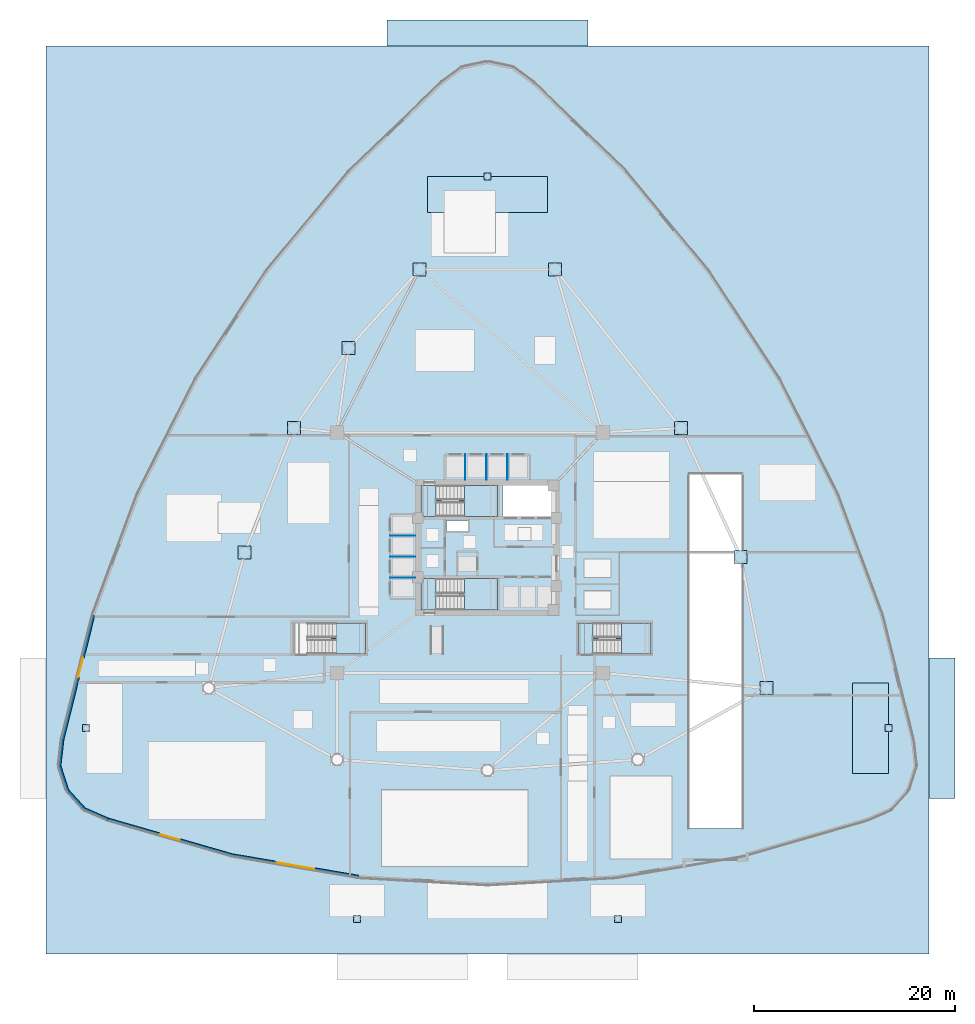
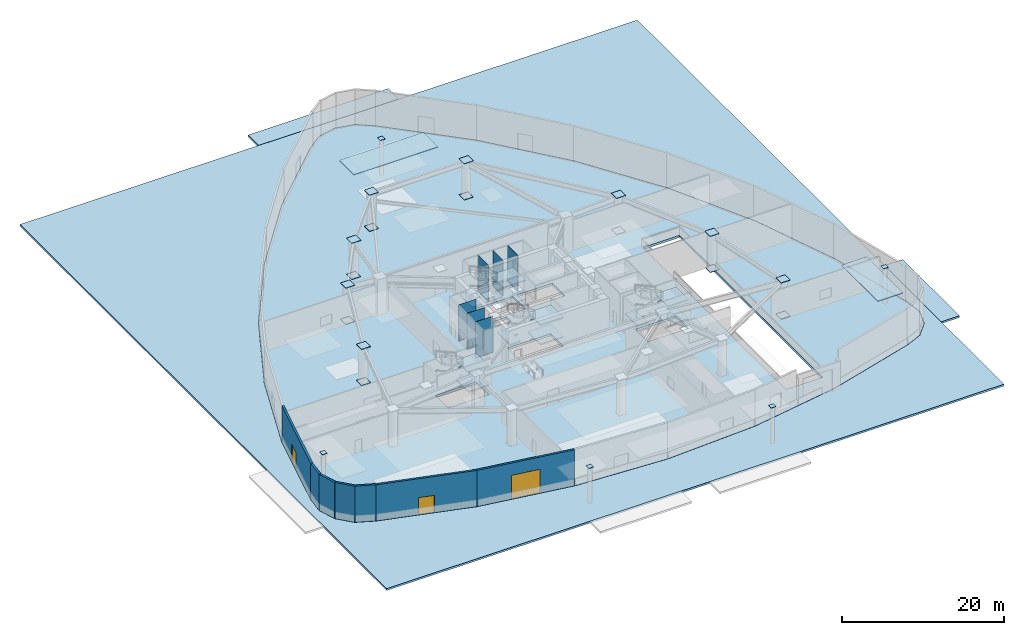
# One storey, part 4 of 13: 29 plates, 15 slabs, 7 walls, 3 doors, 3 openings, 4 elements without a shape of their own.
"""IFC4 building model written with IfcOpenShell, lengths in metres."""

from ifc_helpers import new_model, si_unit, direction, frame, frame_2d, origin, origin_2d, place, context, subcontext, project, spatial, polyline, rectangle, outline, extrude, source, transform, mapped, material, layer, layer_set, type_object, type_shapes, element, fill, aggregate, save


model = new_model("IFC4")

# Units and contexts
model_context = context("Model", 3, precision=1e-05, world=origin(), true_north=direction((0.0, 1.0)))
body_context = subcontext(model_context, "Body", "Model", "MODEL_VIEW")
ifc_project = project(units=[si_unit("LENGTHUNIT", "METRE"), si_unit("AREAUNIT", "SQUARE_METRE"), si_unit("VOLUMEUNIT", "CUBIC_METRE"), si_unit("PLANEANGLEUNIT", "RADIAN"), si_unit("MASSUNIT", "GRAM", prefix="KILO")], contexts=[model_context])

# Site, building, storey
site_placement = place(None, origin())
site = spatial("IfcSite", under=ifc_project, at=site_placement, CompositionType="ELEMENT")
building_placement = place(site_placement, origin())
building = spatial("IfcBuilding", under=site, at=building_placement, Name="Tavelor Broadcast Tower", CompositionType="ELEMENT")
storey_placement = place(building_placement, origin())
storey = spatial("IfcBuildingStorey", under=building, at=storey_placement, Name="L00", CompositionType="ELEMENT", Elevation=0.0)

# Slabs
ifc_material_1 = material(Name="Concrete C40/50", Category="concrete")
ifc_layer_1 = layer(ifc_material_1, 0.280029296875)
ifc_layer_set_1 = layer_set([ifc_layer_1], Name="Concrete C40/50")
slab_type_1 = type_object("IfcSlabType", Name="Plaza and Driveway Apron Paving Slab 280 mm", PredefinedType="USERDEFINED", material=ifc_layer_set_1)
slab_1_placement = place(storey_placement, frame((0.0, 0.0, -0.280029296875)))
element("IfcSlab", 1, at=slab_1_placement, inside=storey, type_object=slab_type_1, Name="L00 Exterior Plaza and Driveway Paving Main Apron", ObjectType="PAVING", PredefinedType="USERDEFINED", context=body_context, shape_type="SweptSolid", body=[
    extrude(outline(polyline([(6.0, 4.5), (94.0, 4.5), (94.0, 95.0), (6.0, 95.0), (6.0, 4.5)]), holes=[polyline([(54.65771484375, 91.4072265625), (63.916748046875, 82.49072265625), (63.91748046875, 82.489990234375), (72.11962890625, 72.59228515625), (72.120361328125, 72.591552734375), (79.161865234375, 61.83740234375), (79.162353515625, 61.836181640625), (84.955078125, 50.361083984375), (84.95556640625, 50.360107421875), (89.426025390625, 38.30810546875), (89.426513671875, 38.306884765625), (92.518798828125, 25.829833984375), (92.518798828125, 25.82861328125), (92.81201171875, 23.2353515625), (92.812255859375, 23.234375), (92.812255859375, 23.233154296875), (92.81201171875, 23.232177734375), (92.811767578125, 23.231201171875), (92.01171875, 20.746826171875), (92.01123046875, 20.745849609375), (92.010986328125, 20.7451171875), (92.01025390625, 20.744140625), (92.009521484375, 20.743408203125), (90.25830078125, 18.808349609375), (90.257568359375, 18.8076171875), (90.256591796875, 18.806884765625), (90.255615234375, 18.806396484375), (90.2548828125, 18.805908203125), (87.8623046875, 17.76318359375), (87.861083984375, 17.7626953125), (75.509521484375, 14.202392578125), (75.508544921875, 14.201904296875), (62.8359375, 12.047607421875), (62.834716796875, 12.047607421875), (50.00048828125, 11.326416015625), (49.99951171875, 11.326416015625), (37.165283203125, 12.047607421875), (37.1640625, 12.047607421875), (24.491455078125, 14.201904296875), (24.490478515625, 14.202392578125), (12.138916015625, 17.7626953125), (12.1376953125, 17.76318359375), (9.7451171875, 18.805908203125), (9.744384765625, 18.806396484375), (9.743408203125, 18.806884765625), (9.742431640625, 18.8076171875), (9.74169921875, 18.808349609375), (7.990478515625, 20.743408203125), (7.98974609375, 20.744140625), (7.989013671875, 20.7451171875), (7.98876953125, 20.745849609375), (7.98828125, 20.746826171875), (7.188232421875, 23.231201171875), (7.18798828125, 23.232177734375), (7.187744140625, 23.233154296875), (7.187744140625, 23.234375), (7.18798828125, 23.2353515625), (7.481201171875, 25.82861328125), (7.481201171875, 25.829833984375), (10.573486328125, 38.306884765625), (10.573974609375, 38.30810546875), (15.04443359375, 50.360107421875), (15.044921875, 50.361083984375), (20.837646484375, 61.836181640625), (20.838134765625, 61.83740234375), (27.879638671875, 72.591552734375), (27.88037109375, 72.59228515625), (36.08251953125, 82.489990234375), (36.083251953125, 82.49072265625), (45.34228515625, 91.4072265625), (45.343505859375, 91.408203125), (47.442626953125, 92.958740234375), (47.443603515625, 92.959228515625), (47.444580078125, 92.959716796875), (47.445556640625, 92.960205078125), (47.446533203125, 92.96044921875), (49.997802734375, 93.509765625), (49.998779296875, 93.510009765625), (50.0, 93.510009765625), (50.001220703125, 93.510009765625), (50.002197265625, 93.509765625), (52.553466796875, 92.96044921875), (52.554443359375, 92.960205078125), (52.555419921875, 92.959716796875), (52.556396484375, 92.959228515625), (52.557373046875, 92.958740234375), (54.656494140625, 91.408203125), (54.65771484375, 91.4072265625)])]), origin(), (0.0, 0.0, 1.0), 0.280029296875),
])
slab_2_placement = place(storey_placement, frame((0.0, 0.0, -0.280029296875)))
element("IfcSlab", 2, at=slab_2_placement, inside=storey, type_object=slab_type_1, Name="L00 Perimeter Street Paving Pad 2", ObjectType="PAVING", PredefinedType="USERDEFINED", context=body_context, shape_type="SweptSolid", body=[
    extrude(outline(polyline([(94.0, 20.0), (96.60009765625, 20.0), (96.60009765625, 34.0), (94.0, 34.0), (94.0, 20.0)])), origin(), (0.0, 0.0, 1.0), 0.280029296875),
])
slab_3_placement = place(storey_placement, frame((0.0, 0.0, -0.280029296875)))
element("IfcSlab", 3, at=slab_3_placement, inside=storey, type_object=slab_type_1, Name="L00 Perimeter Street Paving Pad 5", ObjectType="PAVING", PredefinedType="USERDEFINED", context=body_context, shape_type="SweptSolid", body=[
    extrude(outline(polyline([(40.0, 95.0), (60.0, 95.0), (60.0, 97.60009765625), (40.0, 97.60009765625), (40.0, 95.0)])), origin(), (0.0, 0.0, 1.0), 0.280029296875),
])
ifc_layer_2 = layer(ifc_material_1, 0.35009765625)
ifc_layer_set_2 = layer_set([ifc_layer_2], Name="Concrete C40/50")
slab_type_2 = type_object("IfcSlabType", Name="Podium Structural Floor Slab 350 mm", PredefinedType="FLOOR", material=ifc_layer_set_2)
slab_4_placement = place(storey_placement, frame((0.0, 0.0, -0.35009765625)))
element("IfcSlab", 4, at=slab_4_placement, inside=storey, type_object=slab_type_2, Name="L00 Structural Floor Slab", PredefinedType="FLOOR", context=body_context, shape_type="SweptSolid", body=[
    extrude(outline(polyline([(54.650634765625, 91.400146484375), (52.551513671875, 92.95068359375), (50.0, 93.5), (47.448486328125, 92.95068359375), (45.349365234375, 91.400146484375), (36.090087890625, 82.483642578125), (27.88818359375, 72.5859375), (20.846435546875, 61.831787109375), (15.053955078125, 50.3564453125), (10.583251953125, 38.304443359375), (7.490966796875, 25.827392578125), (7.19775390625, 23.234130859375), (7.997802734375, 20.75), (9.749267578125, 18.815185546875), (12.1416015625, 17.772216796875), (24.4931640625, 14.2119140625), (37.165771484375, 12.0576171875), (50.0, 11.33642578125), (62.834228515625, 12.0576171875), (75.5068359375, 14.2119140625), (87.8583984375, 17.772216796875), (90.250732421875, 18.815185546875), (92.002197265625, 20.75), (92.80224609375, 23.234130859375), (92.509033203125, 25.827392578125), (89.416748046875, 38.304443359375), (84.946044921875, 50.3564453125), (79.153564453125, 61.831787109375), (72.11181640625, 72.5859375), (63.909912109375, 82.483642578125), (54.650634765625, 91.400146484375)]), holes=[polyline([(70.14990234375, 52.280029296875), (75.35009765625, 52.280029296875), (75.35009765625, 17.0), (70.14990234375, 17.0), (70.14990234375, 52.280029296875)]), polyline([(37.845947265625, 34.404052734375), (32.053955078125, 34.404052734375), (32.053955078125, 37.49609375), (37.845947265625, 37.49609375), (37.845947265625, 34.404052734375)]), polyline([(66.2958984375, 34.404052734375), (60.50390625, 34.404052734375), (60.50390625, 37.49609375), (66.2958984375, 37.49609375), (66.2958984375, 34.404052734375)]), polyline([(50.99609375, 38.803955078125), (44.85400390625, 38.803955078125), (44.85400390625, 41.89599609375), (50.99609375, 41.89599609375), (50.99609375, 38.803955078125)]), polyline([(48.050048828125, 46.64990234375), (45.89990234375, 46.64990234375), (45.89990234375, 47.699951171875), (48.050048828125, 47.699951171875), (48.050048828125, 46.64990234375)]), polyline([(50.99609375, 48.10400390625), (44.85400390625, 48.10400390625), (44.85400390625, 51.196044921875), (50.99609375, 51.196044921875), (50.99609375, 48.10400390625)]), polyline([(56.60009765625, 48.10009765625), (51.52001953125, 48.10009765625), (51.52001953125, 51.199951171875), (56.60009765625, 51.199951171875), (56.60009765625, 48.10009765625)])]), origin(), (0.0, 0.0, 1.0), 0.35009765625),
])

# Stair, slabs
stair_type = type_object("IfcStairType", Name="Reinforced Concrete Protected Dogleg Stair 1450 mm", PredefinedType="HALF_TURN_STAIR", material=ifc_material_1)
stair_1_placement = place(storey_placement, origin())
stair_1 = element("IfcStair", 5, at=stair_1_placement, inside=storey, type_object=stair_type, Name="L00 Protected Core Exit Stair ST1", PredefinedType="HALF_TURN_STAIR")
ifc_layer_3 = layer(ifc_material_1, 0.199951171875)
ifc_layer_set_3 = layer_set([ifc_layer_3], Name="Concrete C40/50")
slab_type_3 = type_object("IfcSlabType", Name="Reinforced Concrete Stair Half-Landing Slab 200 mm", PredefinedType="LANDING", material=ifc_layer_set_3)
slab_5_placement = place(storey_placement, frame((0.0, 0.0, 1.25)))
slab_5 = element("IfcSlab", 6, at=slab_5_placement, type_object=slab_type_3, Name="ST1 landing 1", PredefinedType="LANDING", context=body_context, shape_type="SweptSolid", body=[
    extrude(outline(polyline([(47.72509765625, 49.590087890625), (47.72509765625, 48.094970703125), (51.0048828125, 48.094970703125), (51.0048828125, 51.205078125), (47.72509765625, 51.205078125), (47.72509765625, 49.7099609375), (47.18505859375, 49.7099609375), (47.18505859375, 49.590087890625), (47.72509765625, 49.590087890625)])), origin(), (0.0, 0.0, 1.0), 0.199951171875),
])
slab_6_placement = place(storey_placement, frame((0.0, 0.0, 2.699951171875)))
slab_6 = element("IfcSlab", 7, at=slab_6_placement, type_object=slab_type_3, Name="ST1 landing 2", PredefinedType="LANDING", context=body_context, shape_type="SweptSolid", body=[
    extrude(outline(polyline([(43.39501953125, 48.094970703125), (44.85498046875, 48.094970703125), (44.85498046875, 49.590087890625), (45.39501953125, 49.590087890625), (45.39501953125, 49.7099609375), (44.85498046875, 49.7099609375), (44.85498046875, 51.205078125), (43.39501953125, 51.205078125), (43.39501953125, 48.094970703125)])), origin(), (0.0, 0.0, 1.0), 0.199951171875),
])
slab_7_placement = place(storey_placement, frame((0.0, 0.0, 4.14990234375)))
slab_7 = element("IfcSlab", 8, at=slab_7_placement, type_object=slab_type_3, Name="ST1 landing 3", PredefinedType="LANDING", context=body_context, shape_type="SweptSolid", body=[
    extrude(outline(polyline([(47.72509765625, 49.590087890625), (47.72509765625, 48.094970703125), (51.0048828125, 48.094970703125), (51.0048828125, 51.205078125), (47.72509765625, 51.205078125), (47.72509765625, 49.7099609375), (47.18505859375, 49.7099609375), (47.18505859375, 49.590087890625), (47.72509765625, 49.590087890625)])), origin(), (0.0, 0.0, 1.0), 0.2001953125),
])
aggregate(stair_1, [slab_5, slab_6, slab_7])

stair_2_placement = place(storey_placement, origin())
stair_2 = element("IfcStair", 9, at=stair_2_placement, inside=storey, type_object=stair_type, Name="L00 Protected Core Exit Stair ST2", PredefinedType="HALF_TURN_STAIR")
slab_8_placement = place(storey_placement, frame((0.0, 0.0, 1.25)))
slab_8 = element("IfcSlab", 10, at=slab_8_placement, type_object=slab_type_3, Name="ST2 landing 1", PredefinedType="LANDING", context=body_context, shape_type="SweptSolid", body=[
    extrude(outline(polyline([(47.72509765625, 40.2900390625), (47.72509765625, 38.794921875), (51.0048828125, 38.794921875), (51.0048828125, 41.905029296875), (47.72509765625, 41.905029296875), (47.72509765625, 40.409912109375), (47.18505859375, 40.409912109375), (47.18505859375, 40.2900390625), (47.72509765625, 40.2900390625)])), origin(), (0.0, 0.0, 1.0), 0.199951171875),
])
slab_9_placement = place(storey_placement, frame((0.0, 0.0, 2.699951171875)))
slab_9 = element("IfcSlab", 11, at=slab_9_placement, type_object=slab_type_3, Name="ST2 landing 2", PredefinedType="LANDING", context=body_context, shape_type="SweptSolid", body=[
    extrude(outline(polyline([(43.39501953125, 38.794921875), (44.85498046875, 38.794921875), (44.85498046875, 40.2900390625), (45.39501953125, 40.2900390625), (45.39501953125, 40.409912109375), (44.85498046875, 40.409912109375), (44.85498046875, 41.905029296875), (43.39501953125, 41.905029296875), (43.39501953125, 38.794921875)])), origin(), (0.0, 0.0, 1.0), 0.199951171875),
])
slab_10_placement = place(storey_placement, frame((0.0, 0.0, 4.14990234375)))
slab_10 = element("IfcSlab", 12, at=slab_10_placement, type_object=slab_type_3, Name="ST2 landing 3", PredefinedType="LANDING", context=body_context, shape_type="SweptSolid", body=[
    extrude(outline(polyline([(47.72509765625, 40.2900390625), (47.72509765625, 38.794921875), (51.0048828125, 38.794921875), (51.0048828125, 41.905029296875), (47.72509765625, 41.905029296875), (47.72509765625, 40.409912109375), (47.18505859375, 40.409912109375), (47.18505859375, 40.2900390625), (47.72509765625, 40.2900390625)])), origin(), (0.0, 0.0, 1.0), 0.2001953125),
])
aggregate(stair_2, [slab_8, slab_9, slab_10])

stair_3_placement = place(storey_placement, origin())
stair_3 = element("IfcStair", 13, at=stair_3_placement, inside=storey, type_object=stair_type, Name="L00 Podium West Exit Stair ST3", PredefinedType="HALF_TURN_STAIR")
slab_11_placement = place(storey_placement, frame((0.0, 0.0, 1.25)))
slab_11 = element("IfcSlab", 14, at=slab_11_placement, type_object=slab_type_3, Name="ST3 landing 1", PredefinedType="LANDING", context=body_context, shape_type="SweptSolid", body=[
    extrude(outline(polyline([(34.925048828125, 35.889892578125), (34.925048828125, 34.39501953125), (37.85498046875, 34.39501953125), (37.85498046875, 37.5048828125), (34.925048828125, 37.5048828125), (34.925048828125, 36.010009765625), (34.385009765625, 36.010009765625), (34.385009765625, 35.889892578125), (34.925048828125, 35.889892578125)])), origin(), (0.0, 0.0, 1.0), 0.199951171875),
])
slab_12_placement = place(storey_placement, frame((0.0, 0.0, 4.14990234375)))
slab_12 = element("IfcSlab", 15, at=slab_12_placement, type_object=slab_type_3, Name="ST3 landing 3", PredefinedType="LANDING", context=body_context, shape_type="SweptSolid", body=[
    extrude(outline(polyline([(34.925048828125, 35.889892578125), (34.925048828125, 34.39501953125), (37.85498046875, 34.39501953125), (37.85498046875, 37.5048828125), (34.925048828125, 37.5048828125), (34.925048828125, 36.010009765625), (34.385009765625, 36.010009765625), (34.385009765625, 35.889892578125), (34.925048828125, 35.889892578125)])), origin(), (0.0, 0.0, 1.0), 0.2001953125),
])
aggregate(stair_3, [slab_11, slab_12])

stair_4_placement = place(storey_placement, origin())
stair_4 = element("IfcStair", 16, at=stair_4_placement, inside=storey, type_object=stair_type, Name="L00 Podium East Exit Stair ST4", PredefinedType="HALF_TURN_STAIR")
slab_13_placement = place(storey_placement, frame((0.0, 0.0, 1.25)))
slab_13 = element("IfcSlab", 17, at=slab_13_placement, type_object=slab_type_3, Name="ST4 landing 1", PredefinedType="LANDING", context=body_context, shape_type="SweptSolid", body=[
    extrude(outline(polyline([(63.375, 35.889892578125), (63.375, 34.39501953125), (66.304931640625, 34.39501953125), (66.304931640625, 37.5048828125), (63.375, 37.5048828125), (63.375, 36.010009765625), (62.8349609375, 36.010009765625), (62.8349609375, 35.889892578125), (63.375, 35.889892578125)])), origin(), (0.0, 0.0, 1.0), 0.199951171875),
])
slab_14_placement = place(storey_placement, frame((0.0, 0.0, 2.699951171875)))
slab_14 = element("IfcSlab", 18, at=slab_14_placement, type_object=slab_type_3, Name="ST4 landing 2", PredefinedType="LANDING", context=body_context, shape_type="SweptSolid", body=[
    extrude(outline(polyline([(59.044921875, 34.39501953125), (60.5048828125, 34.39501953125), (60.5048828125, 35.889892578125), (61.044921875, 35.889892578125), (61.044921875, 36.010009765625), (60.5048828125, 36.010009765625), (60.5048828125, 37.5048828125), (59.044921875, 37.5048828125), (59.044921875, 34.39501953125)])), origin(), (0.0, 0.0, 1.0), 0.199951171875),
])
slab_15_placement = place(storey_placement, frame((0.0, 0.0, 4.14990234375)))
slab_15 = element("IfcSlab", 19, at=slab_15_placement, type_object=slab_type_3, Name="ST4 landing 3", PredefinedType="LANDING", context=body_context, shape_type="SweptSolid", body=[
    extrude(outline(polyline([(63.375, 35.889892578125), (63.375, 34.39501953125), (66.304931640625, 34.39501953125), (66.304931640625, 37.5048828125), (63.375, 37.5048828125), (63.375, 36.010009765625), (62.8349609375, 36.010009765625), (62.8349609375, 35.889892578125), (63.375, 35.889892578125)])), origin(), (0.0, 0.0, 1.0), 0.2001953125),
])
aggregate(stair_4, [slab_13, slab_14, slab_15])

# Plates
ifc_material_2 = material(Name="Steel S460", Category="steel")
ifc_layer_4 = layer(ifc_material_2, 0.050048828125)
ifc_layer_set_4 = layer_set([ifc_layer_4], Name="Steel S460")
plate_type_1 = type_object("IfcPlateType", Name="Tube Hollow-End Cap Plate KN05 700x700x50", PredefinedType="USERDEFINED", material=ifc_layer_set_4)
shared_shape_1 = source(origin(), body_context, "Body", "SweptSolid", [
    extrude(rectangle(XDim=1.299072265625, YDim=1.299072265625, at=origin_2d()), origin(), (0.0, 0.0, 1.0), 0.054931640625),
])
for number, where, z_axis, x_axis, name in (
    (20, (43.247314453125, 72.7509765625, -0.02734375), (0.0, 0.0, 1.0), (1.0, 0.0, 0.0), "L00 Hollow End Cap Plate KN05 #64"),
    (21, (43.247314453125, 72.7509765625, 5.42236328125), (0.0, 0.0, 1.0), (1.0, 0.0, 0.0), "L00 Hollow End Cap Plate KN05 #65"),
    (22, (36.170166015625, 64.893310546875, -0.02734375), (0.0, 0.0, 1.0), (1.0, 0.0, 0.0), "L00 Hollow End Cap Plate KN05 #66"),
    (23, (36.170166015625, 64.893310546875, 5.42236328125), (0.0, 0.0, 1.0), (1.0, 0.0, 0.0), "L00 Hollow End Cap Plate KN05 #67"),
    (24, (30.69921875, 56.9111328125, -0.02734375), (0.0, 0.0, 1.0), (1.0, 0.0, 0.0), "L00 Hollow End Cap Plate KN05 #68"),
    (25, (30.69921875, 56.9111328125, 5.42236328125), (0.0, 0.0, 1.0), (1.0, 0.0, 0.0), "L00 Hollow End Cap Plate KN05 #69"),
    (26, (25.800048828125, 44.5, -0.02734375), (0.0, 0.0, 1.0), (1.0, 0.0, 0.0), "L00 Hollow End Cap Plate KN05 #70"),
    (27, (25.800048828125, 44.5, 5.42236328125), (0.0, 0.0, 1.0), (1.0, 0.0, 0.0), "L00 Hollow End Cap Plate KN05 #71"),
    (28, (77.800048828125, 31.0, -0.02734375), (0.0, 0.0, 1.0), (1.0, 0.0, 0.0), "L00 Hollow End Cap Plate KN05 #80"),
    (29, (77.800048828125, 31.0, 5.42236328125), (0.0, 0.0, 1.0), (1.0, 0.0, 0.0), "L00 Hollow End Cap Plate KN05 #81"),
    (30, (75.2412109375, 44.070068359375, -0.02734375), (0.0, 0.0, 1.0), (1.0, 0.0, 0.0), "L00 Hollow End Cap Plate KN05 #82"),
    (31, (75.2412109375, 44.070068359375, 5.42236328125), (0.0, 0.0, 1.0), (1.0, 0.0, 0.0), "L00 Hollow End Cap Plate KN05 #83"),
    (32, (69.30078125, 56.9111328125, -0.02734375), (0.0, 0.0, 1.0), (1.0, 0.0, 0.0), "L00 Hollow End Cap Plate KN05 #84"),
    (33, (69.30078125, 56.9111328125, 5.42236328125), (0.0, 0.0, 1.0), (1.0, 0.0, 0.0), "L00 Hollow End Cap Plate KN05 #85"),
    (34, (56.752685546875, 72.7509765625, -0.02734375), (0.0, 0.0, 1.0), (1.0, 0.0, 0.0), "L00 Hollow End Cap Plate KN05 #86"),
    (35, (56.752685546875, 72.7509765625, 5.42236328125), (0.0, 0.0, 1.0), (1.0, 0.0, 0.0), "L00 Hollow End Cap Plate KN05 #87"),
):
    element("IfcPlate", number, at=place(storey_placement, frame(where, z_axis=z_axis, x_axis=x_axis)), inside=storey, type_object=plate_type_1, Name=name, ObjectType="CAP PLATE", PredefinedType="USERDEFINED", context=body_context, shape_type="MappedRepresentation", body=[
        mapped(shared_shape_1, transform((0.0, 0.0, 0.0), scale=1.0)),
    ])
shared_shape_2 = source(origin(), body_context, "Body", "SweptSolid", [
    extrude(rectangle(XDim=0.699951171875, YDim=0.699951171875, at=origin_2d()), origin(), (0.0, 0.0, 1.0), 0.054931640625),
])
type_shapes(plate_type_1, [shared_shape_1, shared_shape_2])
for number, where, z_axis, x_axis, name in (
    (36, (50.0, 82.0, 5.42236328125), (0.0, 0.0, 1.0), (1.0, 0.0, 0.0), "L00 Hollow End Cap Plate KN05 #88"),
    (37, (10.0, 27.0, 5.42236328125), (0.0, 0.0, 1.0), (1.0, 0.0, 0.0), "L00 Hollow End Cap Plate KN05 #89"),
    (38, (90.0, 27.0, 5.42236328125), (0.0, 0.0, 1.0), (1.0, 0.0, 0.0), "L00 Hollow End Cap Plate KN05 #90"),
    (39, (37.0, 8.0, 5.42236328125), (0.0, 0.0, 1.0), (1.0, 0.0, 0.0), "L00 Hollow End Cap Plate KN05 #91"),
    (40, (63.0, 8.0, 5.42236328125), (0.0, 0.0, 1.0), (1.0, 0.0, 0.0), "L00 Hollow End Cap Plate KN05 #92"),
):
    element("IfcPlate", number, at=place(storey_placement, frame(where, z_axis=z_axis, x_axis=x_axis)), inside=storey, type_object=plate_type_1, Name=name, ObjectType="CAP PLATE", PredefinedType="USERDEFINED", context=body_context, shape_type="MappedRepresentation", body=[
        mapped(shared_shape_2, transform((0.0, 0.0, 0.0), scale=1.0)),
    ])
ifc_material_3 = material(Name="Steel S355", Category="steel")
ifc_layer_5 = layer(ifc_material_3, 0.011962890625)
ifc_layer_set_5 = layer_set([ifc_layer_5], Name="Steel S355")
plate_type_2 = type_object("IfcPlateType", Name="Hoistway Steel Separator Screen 12 mm", PredefinedType="SHEET", material=ifc_layer_set_5)
shared_shape_3 = source(origin(), body_context, "Body", "SweptSolid", [
    extrude(rectangle(XDim=2.52001953125, YDim=0.02001953125, at=origin_2d()), origin(), (0.0, 0.0, 1.0), 5.449951171875),
])
for number, where, z_axis, x_axis, name in (
    (41, (41.56005859375, 42.0, 0.0), (0.0, 0.0, 1.0), (1.0, 0.0, 0.0), "L00 Low-Rise Hoistway Separator Screen 1"),
    (42, (41.56005859375, 44.10009765625, 0.0), (0.0, 0.0, 1.0), (1.0, 0.0, 0.0), "L00 Low-Rise Hoistway Separator Screen 2"),
    (43, (41.56005859375, 46.199951171875, 0.0), (0.0, 0.0, 1.0), (1.0, 0.0, 0.0), "L00 Low-Rise Hoistway Separator Screen 3"),
):
    element("IfcPlate", number, at=place(storey_placement, frame(where, z_axis=z_axis, x_axis=x_axis)), inside=storey, type_object=plate_type_2, Name=name, PredefinedType="SHEET", context=body_context, shape_type="MappedRepresentation", body=[
        mapped(shared_shape_3, transform((0.0, 0.0, 0.0), scale=1.0)),
    ])
shared_shape_4 = source(origin(), body_context, "Body", "SweptSolid", [
    extrude(rectangle(XDim=0.02001953125, YDim=2.52001953125, at=origin_2d()), origin(), (0.0, 0.0, 1.0), 5.449951171875),
])
type_shapes(plate_type_2, [shared_shape_3, shared_shape_4])
for number, where, z_axis, x_axis, name in (
    (44, (47.800048828125, 53.0400390625, 0.0), (0.0, 0.0, 1.0), (1.0, 0.0, 0.0), "L00 High-Rise Hoistway Separator Screen 1"),
    (45, (49.89990234375, 53.0400390625, 0.0), (0.0, 0.0, 1.0), (1.0, 0.0, 0.0), "L00 High-Rise Hoistway Separator Screen 2"),
    (46, (52.0, 53.0400390625, 0.0), (0.0, 0.0, 1.0), (1.0, 0.0, 0.0), "L00 High-Rise Hoistway Separator Screen 3"),
):
    element("IfcPlate", number, at=place(storey_placement, frame(where, z_axis=z_axis, x_axis=x_axis)), inside=storey, type_object=plate_type_2, Name=name, PredefinedType="SHEET", context=body_context, shape_type="MappedRepresentation", body=[
        mapped(shared_shape_4, transform((0.0, 0.0, 0.0), scale=1.0)),
    ])
ifc_material_4 = material(Name="Copper-Bronze Anodized Aluminium", Category="aluminium")
ifc_layer_6 = layer(ifc_material_4, 0.1201171875)
ifc_layer_set_6 = layer_set([ifc_layer_6], Name="Copper-Bronze Anodized Aluminium")
plate_type_3 = type_object("IfcPlateType", Name="Cantilevered Entrance Weather Canopy Plate 120 mm", PredefinedType="USERDEFINED", material=ifc_layer_set_6)
shared_shape_5 = source(origin(), body_context, "Body", "SweptSolid", [
    extrude(rectangle(XDim=12.0, YDim=3.60009765625, at=origin_2d()), origin(), (0.0, 0.0, 1.0), 0.1201171875),
])
plate_1_placement = place(storey_placement, frame((50.0, 80.199951171875, 4.139892578125), z_axis=(0.0, 0.0, 1.0), x_axis=(1.0, 0.0, 0.0)))
element("IfcPlate", 47, at=plate_1_placement, inside=storey, type_object=plate_type_3, Name="L00 Plaza Entrance Weather Canopy 02", ObjectType="ENTRANCE CANOPY", PredefinedType="USERDEFINED", context=body_context, shape_type="MappedRepresentation", body=[
    mapped(shared_shape_5, transform((0.0, 0.0, 0.0), scale=1.0)),
])
shared_shape_6 = source(origin(), body_context, "Body", "SweptSolid", [
    extrude(rectangle(XDim=3.60009765625, YDim=9.0, at=origin_2d()), origin(), (0.0, 0.0, 1.0), 0.1201171875),
])
type_shapes(plate_type_3, [shared_shape_5, shared_shape_6])
plate_2_placement = place(storey_placement, frame((88.199951171875, 27.0, 4.139892578125), z_axis=(0.0, 0.0, 1.0), x_axis=(1.0, 0.0, 0.0)))
element("IfcPlate", 48, at=plate_2_placement, inside=storey, type_object=plate_type_3, Name="L00 Plaza Entrance Weather Canopy 04", ObjectType="ENTRANCE CANOPY", PredefinedType="USERDEFINED", context=body_context, shape_type="MappedRepresentation", body=[
    mapped(shared_shape_6, transform((0.0, 0.0, 0.0), scale=1.0)),
])

# Wall, opening, door
ifc_material_5 = material(Name="Precast Concrete C40/50", Category="concrete")
ifc_layer_7 = layer(ifc_material_5, 0.280029296875)
ifc_layer_set_7 = layer_set([ifc_layer_7], Name="Precast Concrete C40/50")
wall_type = type_object("IfcWallType", Name="Insulated Precast Terracotta Facade Wall 280 mm", PredefinedType="STANDARD", material=ifc_layer_set_7)
wall_1_placement = place(storey_placement, frame((10.720947265625, 38.277587890625, 0.0), z_axis=(0.0, 0.0, 1.0), x_axis=(-0.240566335087, -0.970632700058, 0.0)))
wall_1 = element("IfcWall", 49, at=wall_1_placement, inside=storey, type_object=wall_type, Name="L00 Precast Terracotta Facade Wall 10", PredefinedType="STANDARD", context=body_context, shape_type="SweptSolid", body=[
    extrude(rectangle(XDim=12.867431640625, YDim=0.280029296875, at=frame_2d((6.43359375, 0.0))), origin(), (0.0, 0.0, 1.0), 5.449951171875),
])
opening_1_placement = place(wall_1_placement, frame((4.368408203125, 0.0, 0.0)))
opening_1 = element("IfcOpeningElement", 50, at=opening_1_placement, cuts=wall_1, Name="Opening DR47", PredefinedType="OPENING", context=body_context, shape_type="SweptSolid", body=[
    extrude(rectangle(XDim=2.0, YDim=2.60009765625, at=frame_2d((1.0, 1.300048828125))), frame((0.0, 0.14990234375, 0.0), z_axis=(0.0, -1.0, 0.0), x_axis=(1.0, 0.0, 0.0)), (0.0, 0.0, 1.0), 0.300048828125),
])
ifc_material_6 = material(Name="Architectural Anodized Aluminium", Category="aluminium")
door_type_1 = type_object("IfcDoorType", Name="Main Plaza Entrance Double Exit Door 2000x2600", OperationType="NOTDEFINED", PredefinedType="DOOR", material=ifc_material_6)
door_1_placement = place(opening_1_placement, frame((2.0, 0.0, 0.0), z_axis=(0.0, 0.0, 1.0), x_axis=(-1.0, 0.0, 0.0)))
door_1 = element("IfcDoor", 51, at=door_1_placement, inside=storey, type_object=door_type_1, Name="L00 Stair ST3 Protected Exit Discharge Door 10", OperationType="DOUBLE_DOOR_SINGLE_SWING", OverallHeight=2.60009765625, OverallWidth=2.0, PredefinedType="DOOR", context=body_context, shape_type="SweptSolid", body=[
    extrude(rectangle(XDim=2.0, YDim=2.60009765625, at=frame_2d((1.0, 1.300048828125))), frame((0.0, 0.02490234375, 0.0), z_axis=(0.0, -1.0, 0.0), x_axis=(1.0, 0.0, 0.0)), (0.0, 0.0, 1.0), 0.050048828125),
])
fill(opening_1, door_1)

# Walls
wall_2_placement = place(storey_placement, frame((7.630859375, 25.817626953125, 0.0), z_axis=(0.0, 0.0, 1.0), x_axis=(-0.112368346336, -0.993666621529, 0.0)))
element("IfcWall", 52, at=wall_2_placement, inside=storey, type_object=wall_type, Name="L00 Precast Terracotta Facade Wall 11", PredefinedType="STANDARD", context=body_context, shape_type="SweptSolid", body=[
    extrude(rectangle(XDim=2.6005859375, YDim=0.280029296875, at=frame_2d((1.30029296875, 0.0))), origin(), (0.0, 0.0, 1.0), 5.449951171875),
])
wall_3_placement = place(storey_placement, frame((7.335693359375, 23.2626953125, 0.0), z_axis=(0.0, 0.0, 1.0), x_axis=(0.306557527808, -0.9518521325, 0.0)))
element("IfcWall", 53, at=wall_3_placement, inside=storey, type_object=wall_type, Name="L00 Precast Terracotta Facade Wall 12", PredefinedType="STANDARD", context=body_context, shape_type="SweptSolid", body=[
    extrude(rectangle(XDim=2.57958984375, YDim=0.280029296875, at=frame_2d((1.289794921875, 0.0))), origin(), (0.0, 0.0, 1.0), 5.449951171875),
])
wall_4_placement = place(storey_placement, frame((8.11181640625, 20.832763671875, 0.0), z_axis=(0.0, 0.0, 1.0), x_axis=(0.671069446412, -0.741394495591, 0.0)))
element("IfcWall", 54, at=wall_4_placement, inside=storey, type_object=wall_type, Name="L00 Precast Terracotta Facade Wall 13", PredefinedType="STANDARD", context=body_context, shape_type="SweptSolid", body=[
    extrude(rectangle(XDim=2.579345703125, YDim=0.280029296875, at=frame_2d((1.28955078125, 0.0))), origin(), (0.0, 0.0, 1.0), 5.449951171875),
])
wall_5_placement = place(storey_placement, frame((9.819091796875, 18.9375, 0.0), z_axis=(0.0, 0.0, 1.0), x_axis=(0.91666510017, -0.399656219933, 0.0)))
element("IfcWall", 55, at=wall_5_placement, inside=storey, type_object=wall_type, Name="L00 Precast Terracotta Facade Wall 14", PredefinedType="STANDARD", context=body_context, shape_type="SweptSolid", body=[
    extrude(rectangle(XDim=2.6005859375, YDim=0.280029296875, at=frame_2d((1.30029296875, 0.0))), origin(), (0.0, 0.0, 1.0), 5.449951171875),
])

# Wall, opening, door
wall_6_placement = place(storey_placement, frame((12.1748046875, 17.908447265625, 0.0), z_axis=(0.0, 0.0, 1.0), x_axis=(0.960876918243, -0.276975717325, 0.0)))
wall_6 = element("IfcWall", 56, at=wall_6_placement, inside=storey, type_object=wall_type, Name="L00 Precast Terracotta Facade Wall 15", PredefinedType="STANDARD", context=body_context, shape_type="SweptSolid", body=[
    extrude(rectangle(XDim=12.867431640625, YDim=0.280029296875, at=frame_2d((6.43359375, 0.0))), origin(), (0.0, 0.0, 1.0), 5.449951171875),
])
opening_2_placement = place(wall_6_placement, frame((5.433837890625, 0.0, 0.0)))
opening_2 = element("IfcOpeningElement", 57, at=opening_2_placement, cuts=wall_6, Name="Opening DR47", PredefinedType="OPENING", context=body_context, shape_type="SweptSolid", body=[
    extrude(rectangle(XDim=2.0, YDim=2.60009765625, at=frame_2d((1.0, 1.300048828125))), frame((0.0, 0.14990234375, 0.0), z_axis=(0.0, -1.0, 0.0), x_axis=(1.0, 0.0, 0.0)), (0.0, 0.0, 1.0), 0.300048828125),
])
door_2_placement = place(opening_2_placement, frame((2.0, 0.0, 0.0), z_axis=(0.0, 0.0, 1.0), x_axis=(-1.0, 0.0, 0.0)))
door_2 = element("IfcDoor", 58, at=door_2_placement, inside=storey, type_object=door_type_1, Name="L00 Main Plaza Final Exit Double Door 15", OperationType="DOUBLE_DOOR_SINGLE_SWING", OverallHeight=2.60009765625, OverallWidth=2.0, PredefinedType="DOOR", context=body_context, shape_type="SweptSolid", body=[
    extrude(rectangle(XDim=2.0, YDim=2.60009765625, at=frame_2d((1.0, 1.300048828125))), frame((0.0, 0.02490234375, 0.0), z_axis=(0.0, -1.0, 0.0), x_axis=(1.0, 0.0, 0.0)), (0.0, 0.0, 1.0), 0.050048828125),
])
fill(opening_2, door_2)

wall_7_placement = place(storey_placement, frame((24.509521484375, 14.35107421875, 0.0), z_axis=(0.0, 0.0, 1.0), x_axis=(0.985856003398, -0.167594572001, 0.0)))
wall_7 = element("IfcWall", 59, at=wall_7_placement, inside=storey, type_object=wall_type, Name="L00 Precast Terracotta Facade Wall 16", PredefinedType="STANDARD", context=body_context, shape_type="SweptSolid", body=[
    extrude(rectangle(XDim=12.868896484375, YDim=0.280029296875, at=frame_2d((6.4345703125, 0.0))), origin(), (0.0, 0.0, 1.0), 5.449951171875),
])
opening_3_placement = place(wall_7_placement, frame((4.534423828125, 0.0, 0.0)))
opening_3 = element("IfcOpeningElement", 60, at=opening_3_placement, cuts=wall_7, Name="Opening DR63", PredefinedType="OPENING", context=body_context, shape_type="SweptSolid", body=[
    extrude(rectangle(XDim=3.800048828125, YDim=3.60009765625, at=frame_2d((1.89990234375, 1.800048828125))), frame((0.0, 0.14990234375, 0.0), z_axis=(0.0, -1.0, 0.0), x_axis=(1.0, 0.0, 0.0)), (0.0, 0.0, 1.0), 0.300048828125),
])
door_type_2 = type_object("IfcDoorType", Name="OB-Van Loading Bay Roller Gate 3800x3600", OperationType="NOTDEFINED", PredefinedType="GATE", material=ifc_material_3)
door_3_placement = place(opening_3_placement, origin())
door_3 = element("IfcDoor", 61, at=door_3_placement, inside=storey, type_object=door_type_2, Name="L00 OB-Van Acoustic Loading Bay Gate", OperationType="ROLLINGUP", OverallHeight=3.60009765625, OverallWidth=3.800048828125, PredefinedType="GATE", context=body_context, shape_type="SweptSolid", body=[
    extrude(rectangle(XDim=3.800048828125, YDim=3.60009765625, at=frame_2d((1.89990234375, 1.800048828125))), frame((0.0, 0.02490234375, 0.0), z_axis=(0.0, -1.0, 0.0), x_axis=(1.0, 0.0, 0.0)), (0.0, 0.0, 1.0), 0.050048828125),
])
fill(opening_3, door_3)

save(model, "model.ifc")
